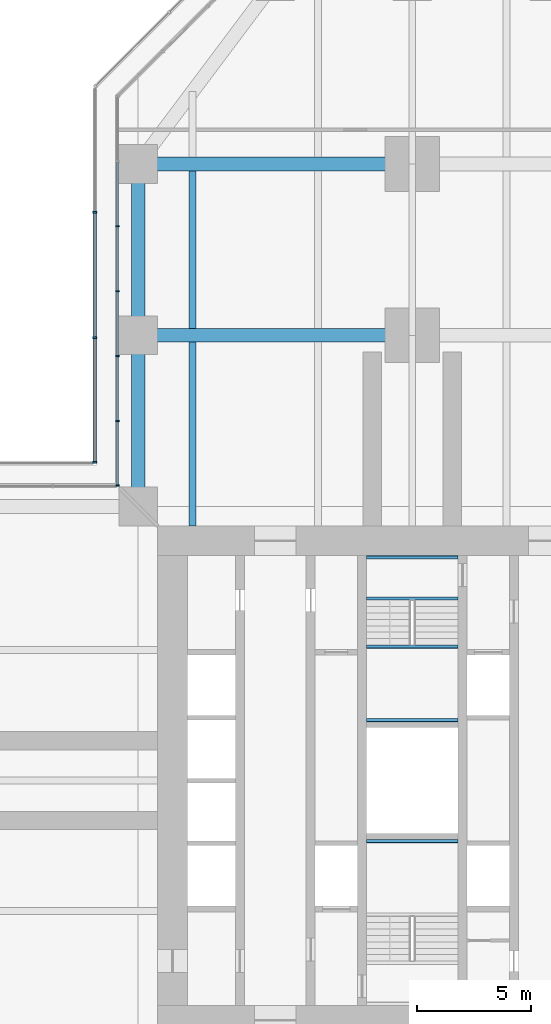
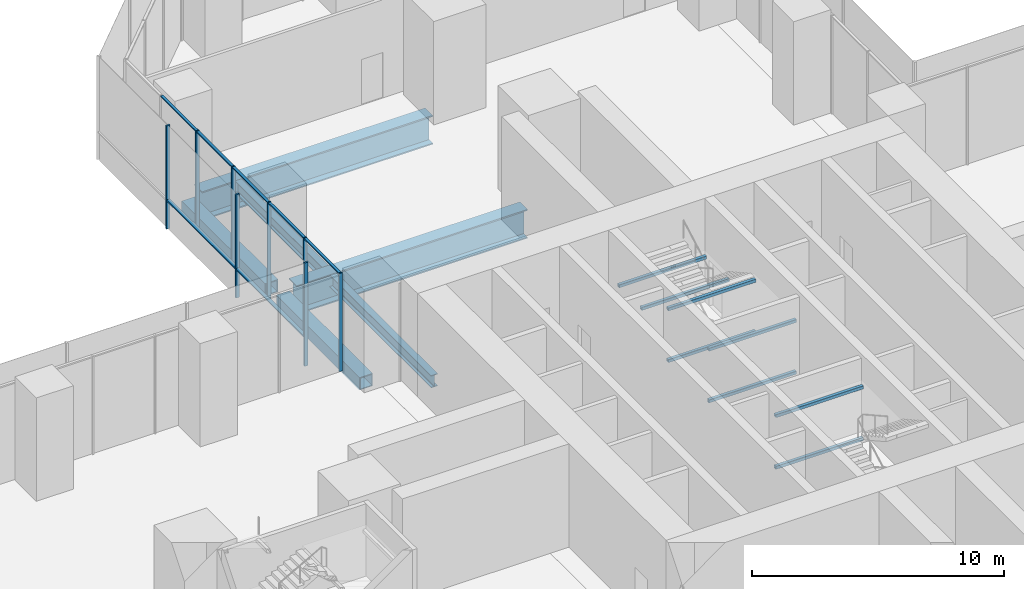
# One storey, part 8 of 23: 15 members, 14 beams, 2 elements without a shape of their own.
"""IFC4 building model written with IfcOpenShell, lengths in metres."""

import ifcopenshell
import ifcopenshell.guid

model = None  # the IFC model being written
_history = None  # IfcOwnerHistory: only IFC2X3 demands one
_inside = {}  # id of a spatial element -> (the spatial element, [elements in it])
_under = {}  # id of a project, library or spatial element -> (it, [spatial elements below it])
_declared = {}  # id of a project -> (the project, [libraries it declares])
_typed = {}  # id of a type object -> (the type object, [elements of that type])
_made_of = {}  # id of a material, layer set ... -> (it, [elements and type objects made of it])


def new_model(schema):
    """Start an empty IFC model of exactly this schema.

    Asked for "IFC4X3", IfcOpenShell would pick the latest addendum, in which some entities
    have other attributes; the version numbers below select the first issue.
    IFC2X3 requires an IfcOwnerHistory on every rooted entity: one is made here for all.
    """
    global model, _history
    if schema == "IFC4X3":
        model = ifcopenshell.file(schema_version=(4, 3, 0, 0))
    else:
        model = ifcopenshell.file(schema=schema)
    _inside.clear()
    _under.clear()
    _declared.clear()
    _typed.clear()
    _made_of.clear()
    _history = None
    if model.schema == "IFC2X3":
        org = make("IfcOrganization", Name="unknown")
        user = make(
            "IfcPersonAndOrganization",
            ThePerson=make("IfcPerson", FamilyName="unknown"),
            TheOrganization=org,
        )
        app = make(
            "IfcApplication",
            ApplicationDeveloper=org,
            Version="unknown",
            ApplicationFullName="unknown",
            ApplicationIdentifier="unknown",
        )
        _history = make(
            "IfcOwnerHistory",
            OwningUser=user,
            OwningApplication=app,
            ChangeAction="ADDED",
            CreationDate=0,
        )
    return model


def make(cls, **values):
    """One entity of the class cls with the attributes given. An attribute that is None is left unset."""
    return model.create_entity(
        cls, **{name: value for name, value in values.items() if value is not None}
    )


def rooted(cls, **values):
    """An entity with a GlobalId (a new one), such as an element, a storey or a relation."""
    return make(cls, GlobalId=ifcopenshell.guid.new(), OwnerHistory=_history, **values)


def si_unit(unit_type, name, prefix=None):
    """IfcSIUnit, for example si_unit("LENGTHUNIT", "METRE", prefix="MILLI")."""
    return make("IfcSIUnit", UnitType=unit_type, Prefix=prefix, Name=name)


def assignment(units):
    """IfcUnitAssignment: the units of a project."""
    return None if units is None else make("IfcUnitAssignment", Units=units)


def point(xyz):
    """IfcCartesianPoint."""
    return None if xyz is None else make("IfcCartesianPoint", Coordinates=xyz)


def direction(xyz):
    """IfcDirection."""
    return None if xyz is None else make("IfcDirection", DirectionRatios=xyz)


def frame(location, z_axis=None, x_axis=None):
    """IfcAxis2Placement3D, a coordinate frame: its origin and axes. An axis left out is left unset."""
    return make(
        "IfcAxis2Placement3D",
        Location=point(location),
        Axis=direction(z_axis),
        RefDirection=direction(x_axis),
    )


def frame_2d(location, x_axis=None):
    """IfcAxis2Placement2D, a coordinate frame in the plane: its origin and x axis."""
    return make(
        "IfcAxis2Placement2D", Location=point(location), RefDirection=direction(x_axis)
    )


def origin():
    """The frame at (0, 0, 0) with its axes left unset."""
    return frame((0.0, 0.0, 0.0))


def origin_2d():
    """The frame at (0, 0) in the plane with its x axis left unset."""
    return frame_2d((0.0, 0.0))


def place(relative_to, where):
    """IfcLocalPlacement: puts the frame where relative to a parent placement (None: the world)."""
    return make(
        "IfcLocalPlacement", PlacementRelTo=relative_to, RelativePlacement=where
    )


def context(
    kind, dimensions, precision=None, world=None, true_north=None, identifier=None
):
    """IfcGeometricRepresentationContext, for example the 3D "Model" context."""
    return make(
        "IfcGeometricRepresentationContext",
        ContextIdentifier=identifier,
        ContextType=kind,
        CoordinateSpaceDimension=dimensions,
        Precision=precision,
        WorldCoordinateSystem=world,
        TrueNorth=true_north,
    )


def subcontext(parent, identifier, kind, view, scale=None):
    """IfcGeometricRepresentationSubContext, for example "Body" below "Model"."""
    return make(
        "IfcGeometricRepresentationSubContext",
        ContextIdentifier=identifier,
        ContextType=kind,
        ParentContext=parent,
        TargetScale=scale,
        TargetView=view,
    )


def project(units=None, contexts=None):
    """IfcProject with its units and contexts."""
    return rooted(
        "IfcProject",
        Name="project",
        RepresentationContexts=contexts,
        UnitsInContext=assignment(units),
    )


def spatial(cls, under=None, at=None, **own):
    """A site, building, storey or space (cls), placed at a placement, below another one or the project."""
    s = rooted(cls, ObjectPlacement=at, **own)
    if under is not None:
        _under.setdefault(under.id(), (under, []))[1].append(s)
    return s


def profile(cls, at=None, kind="AREA", **sizes):
    """A parametric profile (cls). Its sizes go by their IFC names, for example OverallWidth=200.0."""
    return make(cls, ProfileType=kind, Position=at, **sizes)


def rectangle(**sizes):
    """IfcRectangleProfileDef."""
    return profile("IfcRectangleProfileDef", **sizes)


def hollow_rectangle(**sizes):
    """IfcRectangleHollowProfileDef."""
    return profile("IfcRectangleHollowProfileDef", **sizes)


def i_section(**sizes):
    """IfcIShapeProfileDef."""
    return profile("IfcIShapeProfileDef", **sizes)


def extrude(swept, where, along, depth):
    """IfcExtrudedAreaSolid: the profile swept, set in the frame where, extruded along a direction by depth."""
    return make(
        "IfcExtrudedAreaSolid",
        SweptArea=swept,
        Position=where,
        ExtrudedDirection=direction(along),
        Depth=depth,
    )


def shape(context_of_items, identifier, shape_type, items):
    """IfcShapeRepresentation: the items that make up one representation, for example the "Body"."""
    return make(
        "IfcShapeRepresentation",
        ContextOfItems=context_of_items,
        RepresentationIdentifier=identifier,
        RepresentationType=shape_type,
        Items=items,
    )


def material(Name=None, Category=None):
    """IfcMaterial."""
    return make("IfcMaterial", Name=Name, Category=Category)


def material_profile(
    of_material, cross_section, Name=None, Category=None, Priority=None
):
    """IfcMaterialProfile: a cross section and its material."""
    return make(
        "IfcMaterialProfile",
        Name=Name,
        Material=of_material,
        Profile=cross_section,
        Priority=Priority,
        Category=Category,
    )


def profile_set(profiles, Name=None, composite=None):
    """IfcMaterialProfileSet."""
    return make(
        "IfcMaterialProfileSet",
        Name=Name,
        MaterialProfiles=profiles,
        CompositeProfile=composite,
    )


def made_of(thing, what):
    """Note that an element or type object is made of a material, layer set ...; save() writes the relation."""
    if what is not None:
        _made_of.setdefault(what.id(), (what, []))[1].append(thing)
    return thing


def type_object(cls, material=None, **own):
    """A type object (cls), such as IfcWallType, which elements share."""
    return made_of(rooted(cls, **own), material)


def element(
    cls,
    number,
    at=None,
    inside=None,
    cuts=None,
    type_object=None,
    material=None,
    context=None,
    identifier="Body",
    shape_type=None,
    held_by="IfcProductDefinitionShape",
    body=None,
    shapes=None,
    **own,
):
    """One element of the class cls, such as IfcWall. Its Tag is "e" and its number.

    at: its placement. inside: the storey or other place that contains it. cuts: it is an
    opening in that element (IfcRelVoidsElement). A single representation is given by context,
    identifier, shape_type and body (its items); several are given by shapes. held_by: the class
    of the entity that holds the representations. save() writes the other relations.
    """
    e = rooted(cls, Tag="e%d" % number, ObjectPlacement=at, **own)
    if body is not None:
        shapes = [shape(context, identifier, shape_type, body)]
    if shapes is not None:
        e.Representation = make(held_by, Representations=shapes)
    if inside is not None:
        _inside.setdefault(inside.id(), (inside, []))[1].append(e)
    if cuts is not None:
        rooted(
            "IfcRelVoidsElement", RelatingBuildingElement=cuts, RelatedOpeningElement=e
        )
    if type_object is not None:
        _typed.setdefault(type_object.id(), (type_object, []))[1].append(e)
    return made_of(e, material)


def aggregate(whole, parts):
    """IfcRelAggregates: a whole, such as a stair, and the parts it consists of."""
    return rooted("IfcRelAggregates", RelatingObject=whole, RelatedObjects=parts)


def save(model, path):
    """Write the relations noted so far, then the file.

    IfcRelAggregates (storeys below a building ...), IfcRelContainedInSpatialStructure (elements
    in a storey), IfcRelDefinesByType, IfcRelAssociatesMaterial and IfcRelDeclares: one each for
    every whole, place, type object, material and project.
    """
    for whole, parts in _under.values():
        aggregate(whole, parts)
    for where, things in _inside.values():
        rooted(
            "IfcRelContainedInSpatialStructure",
            RelatedElements=things,
            RelatingStructure=where,
        )
    for kind, things in _typed.values():
        rooted("IfcRelDefinesByType", RelatedObjects=things, RelatingType=kind)
    for what, things in _made_of.values():
        rooted("IfcRelAssociatesMaterial", RelatedObjects=things, RelatingMaterial=what)
    for by, libraries in _declared.values():
        rooted("IfcRelDeclares", RelatingContext=by, RelatedDefinitions=libraries)
    model.write(path)


model = new_model("IFC4")

# Units and contexts
model_context = context("Model", 3, precision=1e-05, world=origin(), true_north=direction((0.0, 1.0)))
body_context = subcontext(model_context, "Body", "Model", "MODEL_VIEW")
ifc_project = project(units=[si_unit("LENGTHUNIT", "METRE"), si_unit("AREAUNIT", "SQUARE_METRE"), si_unit("VOLUMEUNIT", "CUBIC_METRE"), si_unit("PLANEANGLEUNIT", "RADIAN"), si_unit("MASSUNIT", "GRAM", prefix="KILO")], contexts=[model_context])

# Site, building, storey
site_placement = place(None, origin())
site = spatial("IfcSite", under=ifc_project, at=site_placement, CompositionType="ELEMENT")
building_placement = place(site_placement, origin())
building = spatial("IfcBuilding", under=site, at=building_placement, Name="Mizan Broadcast Tower", CompositionType="ELEMENT")
storey_placement = place(building_placement, frame((0.0, 0.0, 28.0)))
storey = spatial("IfcBuildingStorey", under=building, at=storey_placement, Name="L04", CompositionType="ELEMENT", Elevation=28.0)

# Beams
ifc_material_1 = material(Name="Steel S355", Category="steel")
ifc_material_profile_1 = material_profile(ifc_material_1, hollow_rectangle(XDim=0.60009765625, YDim=0.60009765625, WallThickness=0.0400390625, at=origin_2d()), Name="BOX 600x600x40")
ifc_profile_set_1 = profile_set([ifc_material_profile_1], Name="Steel S355")
beam_type_1 = type_object("IfcBeamType", Name="EDGE BEAM BOX 600x600x40", PredefinedType="SPANDREL", material=ifc_profile_set_1)
for number, where, z_axis, x_axis, name in (
    (1, (-12.0, 12.449951171875, -0.550048828125), (0.0, 1.0, 0.0), (-1.0, 0.0, 0.0), "Edge beam BOX 600x600x40 L04 north arm"),
    (2, (-12.0, 19.949951171875, -0.550048828125), (0.0, 1.0, 0.0), (-1.0, 0.0, 0.0), "Edge beam BOX 600x600x40 L04 north arm"),
):
    element("IfcBeam", number, at=place(storey_placement, frame(where, z_axis=z_axis, x_axis=x_axis)), inside=storey, type_object=beam_type_1, Name=name, PredefinedType="SPANDREL", context=body_context, shape_type="SweptSolid", body=[
        extrude(hollow_rectangle(XDim=0.60009765625, YDim=0.60009765625, WallThickness=0.0400390625, at=origin_2d()), origin(), (0.0, 0.0, 1.0), 6.60009765625),
    ])
ifc_material_2 = material(Name="Steel S460", Category="steel")
ifc_material_profile_2 = material_profile(ifc_material_2, i_section(OverallWidth=0.60009765625, OverallDepth=1.39990234375, WebThickness=0.02490234375, FlangeThickness=0.06005859375, at=origin_2d()), Name="WPG 1400x600")
ifc_profile_set_2 = profile_set([ifc_material_profile_2], Name="Steel S460")
beam_type_2 = type_object("IfcBeamType", Name="GIRDER WPG 1400x600", PredefinedType="BEAM", material=ifc_profile_set_2)
for number, where, z_axis, x_axis, name in (
    (3, (-0.719970703125, 19.5, -0.949951171875), (-1.0, 0.0, 0.0), (0.0, -1.0, 0.0), "Girder WPG 1400x600 L04 north arm"),
    (4, (-0.719970703125, 27.0, -0.949951171875), (-1.0, 0.0, 0.0), (0.0, -1.0, 0.0), "Girder WPG 1400x600 L04 north arm"),
):
    element("IfcBeam", number, at=place(storey_placement, frame(where, z_axis=z_axis, x_axis=x_axis)), inside=storey, type_object=beam_type_2, Name=name, PredefinedType="BEAM", context=body_context, shape_type="SweptSolid", body=[
        extrude(i_section(OverallWidth=0.60009765625, OverallDepth=1.39990234375, WebThickness=0.02490234375, FlangeThickness=0.06005859375, at=origin_2d()), origin(), (0.0, 0.0, 1.0), 10.56005859375),
    ])

# Curtain wall, members
ifc_material_3 = material(Name="Aluminium framed glazing", Category="aluminium")
curtain_wall_type_1 = type_object("IfcCurtainWallType", Name="PODIUM CURTAIN WALL", PredefinedType="USERDEFINED", material=ifc_material_3)
curtain_wall_1_placement = place(storey_placement, origin())
curtain_wall_1 = element("IfcCurtainWall", 5, at=curtain_wall_1_placement, inside=storey, type_object=curtain_wall_type_1, Name="Podium curtain wall L04 N side", ObjectType="PODIUM CURTAIN WALL", PredefinedType="USERDEFINED")
ifc_material_4 = material(Name="Aluminium, pale anodised", Category="aluminium")
ifc_material_profile_3 = material_profile(ifc_material_4, rectangle(XDim=0.159912109375, YDim=0.06005859375, at=origin_2d()), Name="MULLION 160x60")
ifc_profile_set_3 = profile_set([ifc_material_profile_3], Name="Aluminium, pale anodised")
member_type_1 = type_object("IfcMemberType", Name="INNER SKIN MULLION 60x160", PredefinedType="MULLION", material=ifc_profile_set_3)
member_1_placement = place(storey_placement, frame((-12.89990234375, 24.2724609375, 0.0), z_axis=(0.0, 0.0, 1.0), x_axis=(1.0, 0.0, 0.0)))
member_1 = element("IfcMember", 6, at=member_1_placement, type_object=member_type_1, Name="Podium curtain wall L04 N side mullion 3", PredefinedType="MULLION", context=body_context, shape_type="SweptSolid", body=[
    extrude(rectangle(XDim=0.159912109375, YDim=0.06005859375, at=origin_2d()), origin(), (0.0, 0.0, 1.0), 4.75),
])
member_2_placement = place(storey_placement, frame((-12.89990234375, 21.42919921875, 0.0), z_axis=(0.0, 0.0, 1.0), x_axis=(1.0, 0.0, 0.0)))
member_2 = element("IfcMember", 7, at=member_2_placement, type_object=member_type_1, Name="Podium curtain wall L04 N side mullion 4", PredefinedType="MULLION", context=body_context, shape_type="SweptSolid", body=[
    extrude(rectangle(XDim=0.159912109375, YDim=0.06005859375, at=origin_2d()), origin(), (0.0, 0.0, 1.0), 4.75),
])
member_3_placement = place(storey_placement, frame((-12.89990234375, 18.586181640625, 0.0), z_axis=(0.0, 0.0, 1.0), x_axis=(1.0, 0.0, 0.0)))
member_3 = element("IfcMember", 8, at=member_3_placement, type_object=member_type_1, Name="Podium curtain wall L04 N side mullion 5", PredefinedType="MULLION", context=body_context, shape_type="SweptSolid", body=[
    extrude(rectangle(XDim=0.159912109375, YDim=0.06005859375, at=origin_2d()), origin(), (0.0, 0.0, 1.0), 4.75),
])
member_4_placement = place(storey_placement, frame((-12.89990234375, 15.7431640625, 0.0), z_axis=(0.0, 0.0, 1.0), x_axis=(1.0, 0.0, 0.0)))
member_4 = element("IfcMember", 9, at=member_4_placement, type_object=member_type_1, Name="Podium curtain wall L04 N side mullion 6", PredefinedType="MULLION", context=body_context, shape_type="SweptSolid", body=[
    extrude(rectangle(XDim=0.159912109375, YDim=0.06005859375, at=origin_2d()), origin(), (0.0, 0.0, 1.0), 4.75),
])
member_5_placement = place(storey_placement, frame((-12.89990234375, 12.929931640625, 0.0), z_axis=(0.0, 0.0, 1.0), x_axis=(1.0, 0.0, 0.0)))
member_5 = element("IfcMember", 10, at=member_5_placement, type_object=member_type_1, Name="Podium curtain wall L04 N side mullion 7", PredefinedType="MULLION", context=body_context, shape_type="SweptSolid", body=[
    extrude(rectangle(XDim=0.159912109375, YDim=0.06005859375, at=origin_2d()), origin(), (0.0, 0.0, 1.0), 4.75),
])
ifc_material_5 = material(Name="Aluminium, pale anodised", Category="aluminium")
ifc_material_profile_4 = material_profile(ifc_material_5, rectangle(XDim=0.1201171875, YDim=0.06005859375, at=origin_2d()), Name="TRANSOM 120x60")
ifc_profile_set_4 = profile_set([ifc_material_profile_4], Name="Aluminium, pale anodised")
member_type_2 = type_object("IfcMemberType", Name="INNER SKIN TRANSOM 60x120", PredefinedType="USERDEFINED", material=ifc_profile_set_4)
member_6_placement = place(storey_placement, frame((-12.89990234375, 27.08544921875, 4.719970703125), z_axis=(0.0, -1.0, 0.0), x_axis=(1.0, 0.0, 0.0)))
member_6 = element("IfcMember", 11, at=member_6_placement, type_object=member_type_2, Name="Podium curtain wall L04 N side transom 2.1", ObjectType="TRANSOM", PredefinedType="USERDEFINED", context=body_context, shape_type="SweptSolid", body=[
    extrude(rectangle(XDim=0.1201171875, YDim=0.06005859375, at=origin_2d()), origin(), (0.0, 0.0, 1.0), 2.782958984375),
])
member_7_placement = place(storey_placement, frame((-12.89990234375, 24.242431640625, 4.719970703125), z_axis=(0.0, -1.0, 0.0), x_axis=(1.0, 0.0, 0.0)))
member_7 = element("IfcMember", 12, at=member_7_placement, type_object=member_type_2, Name="Podium curtain wall L04 N side transom 3.1", ObjectType="TRANSOM", PredefinedType="USERDEFINED", context=body_context, shape_type="SweptSolid", body=[
    extrude(rectangle(XDim=0.1201171875, YDim=0.06005859375, at=origin_2d()), origin(), (0.0, 0.0, 1.0), 2.783203125),
])
member_8_placement = place(storey_placement, frame((-12.89990234375, 21.399169921875, 4.719970703125), z_axis=(0.0, -1.0, 0.0), x_axis=(1.0, 0.0, 0.0)))
member_8 = element("IfcMember", 13, at=member_8_placement, type_object=member_type_2, Name="Podium curtain wall L04 N side transom 4.1", ObjectType="TRANSOM", PredefinedType="USERDEFINED", context=body_context, shape_type="SweptSolid", body=[
    extrude(rectangle(XDim=0.1201171875, YDim=0.06005859375, at=origin_2d()), origin(), (0.0, 0.0, 1.0), 2.782958984375),
])
member_9_placement = place(storey_placement, frame((-12.89990234375, 18.55615234375, 4.719970703125), z_axis=(0.0, -1.0, 0.0), x_axis=(1.0, 0.0, 0.0)))
member_9 = element("IfcMember", 14, at=member_9_placement, type_object=member_type_2, Name="Podium curtain wall L04 N side transom 5.1", ObjectType="TRANSOM", PredefinedType="USERDEFINED", context=body_context, shape_type="SweptSolid", body=[
    extrude(rectangle(XDim=0.1201171875, YDim=0.06005859375, at=origin_2d()), origin(), (0.0, 0.0, 1.0), 2.782958984375),
])
member_10_placement = place(storey_placement, frame((-12.89990234375, 15.713134765625, 4.719970703125), z_axis=(0.0, -1.0, 0.0), x_axis=(1.0, 0.0, 0.0)))
member_10 = element("IfcMember", 15, at=member_10_placement, type_object=member_type_2, Name="Podium curtain wall L04 N side transom 6.1", ObjectType="TRANSOM", PredefinedType="USERDEFINED", context=body_context, shape_type="SweptSolid", body=[
    extrude(rectangle(XDim=0.1201171875, YDim=0.06005859375, at=origin_2d()), origin(), (0.0, 0.0, 1.0), 2.753173828125),
])
aggregate(curtain_wall_1, [member_1, member_2, member_3, member_4, member_5, member_6, member_7, member_8, member_9, member_10])

# Beams
ifc_material_6 = material(Name="Steel S355", Category="steel")
ifc_material_profile_5 = material_profile(ifc_material_6, hollow_rectangle(XDim=0.14990234375, YDim=0.14990234375, WallThickness=0.008056640625, InnerFilletRadius=0.008056640625, OuterFilletRadius=0.011962890625, at=origin_2d()), Name="SHS 150x150x8")
ifc_profile_set_5 = profile_set([ifc_material_profile_5], Name="Steel S355")
beam_type_3 = type_object("IfcBeamType", Name="LANDING TRIMMER SHS 150x150x8", PredefinedType="BEAM", material=ifc_profile_set_5)
for number, where, z_axis, x_axis, name in (
    (16, (-2.0, -2.64990234375, 0.97509765625), (1.0, 0.0, 0.0), (0.0, 1.0, 0.0), "Stair A landing trimmer L04"),
    (17, (-2.0, -2.64990234375, 3.47509765625), (1.0, 0.0, 0.0), (0.0, 1.0, 0.0), "Stair A landing trimmer L04"),
    (18, (2.0, 5.864990234375, 0.97509765625), (-1.0, 0.0, 0.0), (0.0, -1.0, 0.0), "Stair B landing trimmer L04"),
    (19, (2.0, 2.64990234375, 0.97509765625), (-1.0, 0.0, 0.0), (0.0, -1.0, 0.0), "Stair B landing trimmer L04"),
    (20, (2.0, 9.77490234375, 2.22509765625), (-1.0, 0.0, 0.0), (0.0, -1.0, 0.0), "Stair B landing trimmer L04"),
    (21, (2.0, 7.97509765625, 2.22509765625), (-1.0, 0.0, 0.0), (0.0, -1.0, 0.0), "Stair B landing trimmer L04"),
    (22, (2.0, 5.864990234375, 3.47509765625), (-1.0, 0.0, 0.0), (0.0, -1.0, 0.0), "Stair B landing trimmer L04"),
    (23, (2.0, 2.64990234375, 3.47509765625), (-1.0, 0.0, 0.0), (0.0, -1.0, 0.0), "Stair B landing trimmer L04"),
):
    element("IfcBeam", number, at=place(storey_placement, frame(where, z_axis=z_axis, x_axis=x_axis)), inside=storey, type_object=beam_type_3, Name=name, PredefinedType="BEAM", context=body_context, shape_type="SweptSolid", body=[
        extrude(hollow_rectangle(XDim=0.14990234375, YDim=0.14990234375, WallThickness=0.008056640625, InnerFilletRadius=0.008056640625, OuterFilletRadius=0.011962890625, at=origin_2d()), origin(), (0.0, 0.0, 1.0), 4.0),
    ])

# Curtain wall, members
ifc_material_7 = material(Name="Aluminium framed glazing", Category="aluminium")
curtain_wall_type_2 = type_object("IfcCurtainWallType", Name="OUTER SKIN", PredefinedType="USERDEFINED", material=ifc_material_7)
curtain_wall_2_placement = place(storey_placement, origin())
curtain_wall_2 = element("IfcCurtainWall", 24, at=curtain_wall_2_placement, inside=storey, type_object=curtain_wall_type_2, Name="Outer skin L04 N side", ObjectType="OUTER SKIN", PredefinedType="USERDEFINED")
ifc_material_8 = material(Name="Aluminium, pale anodised", Category="aluminium")
ifc_material_profile_6 = material_profile(ifc_material_8, rectangle(XDim=0.159912109375, YDim=0.080078125, at=origin_2d()), Name="MULLION 160x80")
ifc_profile_set_6 = profile_set([ifc_material_profile_6], Name="Aluminium, pale anodised")
member_type_3 = type_object("IfcMemberType", Name="OUTER SKIN MULLION 80x160", PredefinedType="MULLION", material=ifc_profile_set_6)
member_11_placement = place(storey_placement, frame((-13.89990234375, 24.8818359375, 0.0), z_axis=(0.0, 0.0, 1.0), x_axis=(1.0, 0.0, 0.0)))
member_11 = element("IfcMember", 25, at=member_11_placement, type_object=member_type_3, Name="Outer skin L04 N side mullion 2", PredefinedType="MULLION", context=body_context, shape_type="SweptSolid", body=[
    extrude(rectangle(XDim=0.159912109375, YDim=0.080078125, at=origin_2d()), origin(), (0.0, 0.0, 1.0), 5.0),
])
member_12_placement = place(storey_placement, frame((-13.89990234375, 19.390869140625, 0.0), z_axis=(0.0, 0.0, 1.0), x_axis=(1.0, 0.0, 0.0)))
member_12 = element("IfcMember", 26, at=member_12_placement, type_object=member_type_3, Name="Outer skin L04 N side mullion 3", PredefinedType="MULLION", context=body_context, shape_type="SweptSolid", body=[
    extrude(rectangle(XDim=0.159912109375, YDim=0.080078125, at=origin_2d()), origin(), (0.0, 0.0, 1.0), 5.0),
])
member_13_placement = place(storey_placement, frame((-13.89990234375, 13.93994140625, 0.0), z_axis=(0.0, 0.0, 1.0), x_axis=(1.0, 0.0, 0.0)))
member_13 = element("IfcMember", 27, at=member_13_placement, type_object=member_type_3, Name="Outer skin L04 N side mullion 4", PredefinedType="MULLION", context=body_context, shape_type="SweptSolid", body=[
    extrude(rectangle(XDim=0.159912109375, YDim=0.080078125, at=origin_2d()), origin(), (0.0, 0.0, 1.0), 5.0),
])
ifc_material_9 = material(Name="Aluminium, pale anodised", Category="aluminium")
ifc_material_profile_7 = material_profile(ifc_material_9, rectangle(XDim=0.159912109375, YDim=0.06005859375, at=origin_2d()), Name="TRANSOM 160x60")
ifc_profile_set_7 = profile_set([ifc_material_profile_7], Name="Aluminium, pale anodised")
member_type_4 = type_object("IfcMemberType", Name="OUTER SKIN TRANSOM 60x160", PredefinedType="USERDEFINED", material=ifc_profile_set_7)
member_14_placement = place(storey_placement, frame((-13.89990234375, 24.841796875, 1.39990234375), z_axis=(0.0, -1.0, 0.0), x_axis=(1.0, 0.0, 0.0)))
member_14 = element("IfcMember", 28, at=member_14_placement, type_object=member_type_4, Name="Outer skin L04 N side transom 2.1", ObjectType="TRANSOM", PredefinedType="USERDEFINED", context=body_context, shape_type="SweptSolid", body=[
    extrude(rectangle(XDim=0.159912109375, YDim=0.06005859375, at=origin_2d()), origin(), (0.0, 0.0, 1.0), 5.410888671875),
])
member_15_placement = place(storey_placement, frame((-13.89990234375, 19.350830078125, 1.39990234375), z_axis=(0.0, -1.0, 0.0), x_axis=(1.0, 0.0, 0.0)))
member_15 = element("IfcMember", 29, at=member_15_placement, type_object=member_type_4, Name="Outer skin L04 N side transom 3.1", ObjectType="TRANSOM", PredefinedType="USERDEFINED", context=body_context, shape_type="SweptSolid", body=[
    extrude(rectangle(XDim=0.159912109375, YDim=0.06005859375, at=origin_2d()), origin(), (0.0, 0.0, 1.0), 5.370849609375),
])
aggregate(curtain_wall_2, [member_11, member_12, member_13, member_14, member_15])

# Beams
ifc_material_10 = material(Name="Steel S355", Category="steel")
ifc_material_profile_8 = material_profile(ifc_material_10, i_section(OverallWidth=0.300048828125, OverallDepth=0.590087890625, WebThickness=0.012939453125, FlangeThickness=0.02490234375, FilletRadius=0.027099609375, at=origin_2d()), Name="HEA 600")
ifc_profile_set_8 = profile_set([ifc_material_profile_8], Name="Steel S355")
beam_type_4 = type_object("IfcBeamType", Name="SECONDARY BEAM HEA 600", PredefinedType="JOIST", material=ifc_profile_set_8)
beam_1_placement = place(storey_placement, frame((-9.625, 11.14990234375, -0.544921875), z_axis=(0.0, 1.0, 0.0), x_axis=(-1.0, 0.0, 0.0)))
element("IfcBeam", 30, at=beam_1_placement, inside=storey, type_object=beam_type_4, Name="Secondary beam HEA 600 L04 north arm", PredefinedType="JOIST", context=body_context, shape_type="SweptSolid", body=[
    extrude(i_section(OverallWidth=0.300048828125, OverallDepth=0.590087890625, WebThickness=0.012939453125, FlangeThickness=0.02490234375, FilletRadius=0.027099609375, at=origin_2d()), origin(), (0.0, 0.0, 1.0), 8.050048828125),
])
beam_2_placement = place(storey_placement, frame((-9.625, 19.800048828125, -0.544921875), z_axis=(0.0, 1.0, 0.0), x_axis=(-1.0, 0.0, 0.0)))
element("IfcBeam", 31, at=beam_2_placement, inside=storey, type_object=beam_type_4, Name="Secondary beam HEA 600 L04 north arm", PredefinedType="JOIST", context=body_context, shape_type="SweptSolid", body=[
    extrude(i_section(OverallWidth=0.300048828125, OverallDepth=0.590087890625, WebThickness=0.012939453125, FlangeThickness=0.02490234375, FilletRadius=0.027099609375, at=origin_2d()), origin(), (0.0, 0.0, 1.0), 6.89990234375),
])

save(model, "model.ifc")
